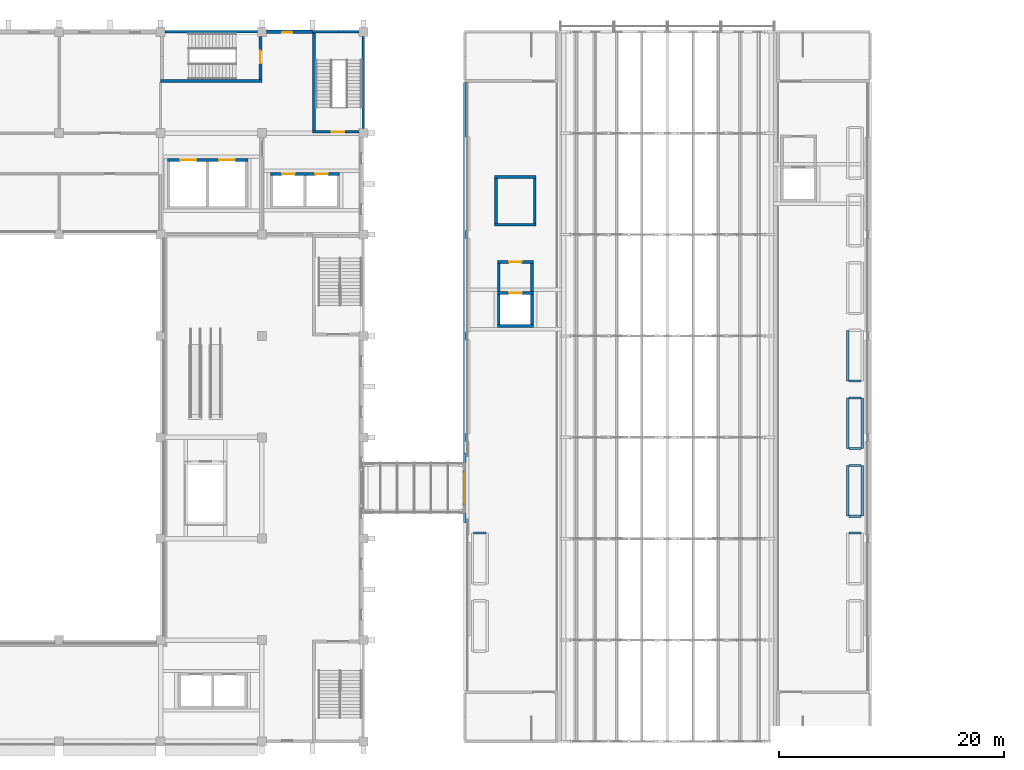
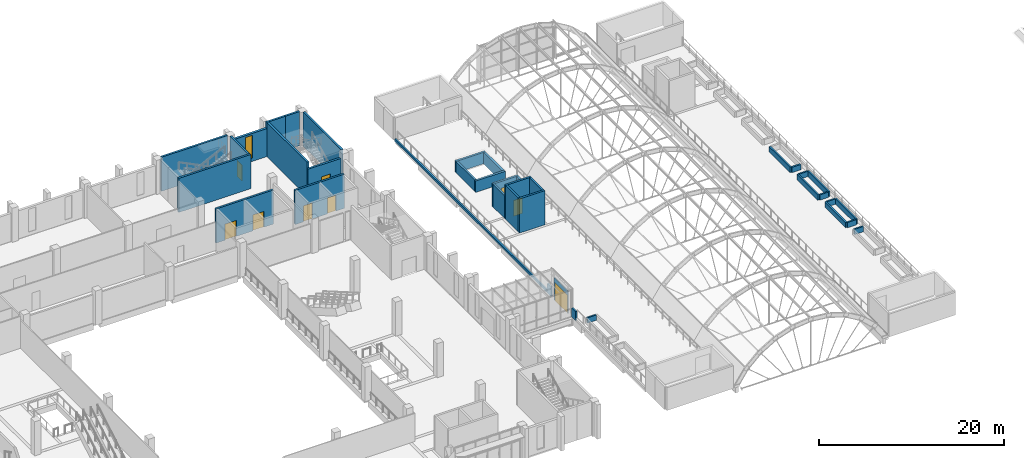
# One storey, part 56 of 79: 38 walls, 9 doors, 1 window, 10 openings.
"""IFC4 building model written with IfcOpenShell, lengths in metres."""

from ifc_helpers import new_model, si_unit, direction, frame, frame_2d, origin, place, context, subcontext, project, spatial, rectangle, extrude, material, layer, layer_set, type_object, element, fill, save


model = new_model("IFC4")

# Units and contexts
model_context = context("Model", 3, precision=1e-05, world=origin(), true_north=direction((0.0, 1.0)))
body_context = subcontext(model_context, "Body", "Model", "MODEL_VIEW")
ifc_project = project(units=[si_unit("LENGTHUNIT", "METRE"), si_unit("AREAUNIT", "SQUARE_METRE"), si_unit("VOLUMEUNIT", "CUBIC_METRE"), si_unit("PLANEANGLEUNIT", "RADIAN"), si_unit("MASSUNIT", "GRAM", prefix="KILO")], contexts=[model_context])

# Site, building, storey
site_placement = place(None, origin())
site = spatial("IfcSite", under=ifc_project, at=site_placement, CompositionType="ELEMENT")
building_placement = place(site_placement, origin())
building = spatial("IfcBuilding", under=site, at=building_placement, Name="Guidao Yard Department Store", CompositionType="ELEMENT")
storey_placement = place(building_placement, frame((0.0, 0.0, 15.0)))
storey = spatial("IfcBuildingStorey", under=building, at=storey_placement, Name="L03", CompositionType="ELEMENT", Elevation=15.0)

# Wall, opening, door
ifc_material_1 = material(Name="Aluminium 6063-T5", Category="aluminium")
ifc_layer_1 = layer(ifc_material_1, 0.1201171875)
ifc_layer_set_1 = layer_set([ifc_layer_1], Name="Glazing frame wall 120")
wall_type_1 = type_object("IfcWallType", Name="Glazing frame wall 120", PredefinedType="STANDARD", material=ifc_layer_set_1)
wall_1_placement = place(storey_placement, frame((71.919921875, 68.969970703125, 0.0), z_axis=(0.0, 0.0, 1.0), x_axis=(0.0, -1.0, 0.0)))
wall_1 = element("IfcWall", 1, at=wall_1_placement, inside=storey, type_object=wall_type_1, Name="Frame wall for bridge door", PredefinedType="STANDARD", context=body_context, shape_type="SweptSolid", body=[
    extrude(rectangle(XDim=2.93994140625, YDim=0.1201171875, at=frame_2d((1.469970703125, 0.0))), origin(), (0.0, 0.0, 1.0), 2.969970703125),
])
opening_1_placement = place(wall_1_placement, frame((0.070068359375, 0.0, 0.0)))
opening_1 = element("IfcOpeningElement", 2, at=opening_1_placement, cuts=wall_1, Name="Opening L03-851", PredefinedType="OPENING", context=body_context, shape_type="SweptSolid", body=[
    extrude(rectangle(XDim=2.800048828125, YDim=2.39990234375, at=frame_2d((1.39990234375, 1.199951171875))), frame((0.0, 0.070068359375, 0.0), z_axis=(0.0, -1.0, 0.0), x_axis=(1.0, 0.0, 0.0)), (0.0, 0.0, 1.0), 0.14013671875),
])
ifc_material_2 = material(Name="Fire-resistant glass in steel frame", Category="steel")
door_type_1 = type_object("IfcDoorType", Name="Bridge door BD1 2800 x 2400 fire-rated glazed double leaf", OperationType="DOUBLE_DOOR_SINGLE_SWING", PredefinedType="DOOR", material=ifc_material_2)
door_1_placement = place(opening_1_placement, origin())
door_1 = element("IfcDoor", 3, at=door_1_placement, inside=storey, type_object=door_type_1, Name="Bridge door BR05", OperationType="DOUBLE_DOOR_SINGLE_SWING", OverallHeight=2.39990234375, OverallWidth=2.800048828125, PredefinedType="DOOR", context=body_context, shape_type="SweptSolid", body=[
    extrude(rectangle(XDim=2.800048828125, YDim=2.39990234375, at=frame_2d((1.39990234375, 1.199951171875))), frame((0.0, 0.02490234375, 0.0), z_axis=(0.0, -1.0, 0.0), x_axis=(1.0, 0.0, 0.0)), (0.0, 0.0, 1.0), 0.050048828125),
])
fill(opening_1, door_1)

# Wall, opening, window
ifc_material_3 = material(Name="Concrete C35", Category="concrete")
ifc_layer_2 = layer(ifc_material_3, 0.300048828125)
ifc_layer_set_2 = layer_set([ifc_layer_2], Name="Hall facade wall 300 C35")
wall_type_2 = type_object("IfcWallType", Name="Hall facade wall 300 C35", PredefinedType="SOLIDWALL", material=ifc_layer_set_2)
wall_2_placement = place(storey_placement, frame((54.39990234375, 108.0, 0.0), z_axis=(0.0, 0.0, 1.0), x_axis=(1.0, 0.0, 0.0)))
wall_2 = element("IfcWall", 4, at=wall_2_placement, inside=storey, type_object=wall_type_2, Name="Hall facade wall", PredefinedType="SOLIDWALL", context=body_context, shape_type="SweptSolid", body=[
    extrude(rectangle(XDim=4.10009765625, YDim=0.300048828125, at=frame_2d((2.050048828125, 0.0))), origin(), (0.0, 0.0, 1.0), 3.699951171875),
])
opening_2_placement = place(wall_2_placement, frame((1.39990234375, 0.0, 0.449951171875)))
opening_2 = element("IfcOpeningElement", 5, at=opening_2_placement, cuts=wall_2, Name="Opening WN-L03-E18", PredefinedType="OPENING", context=body_context, shape_type="SweptSolid", body=[
    extrude(rectangle(XDim=0.89990234375, YDim=3.0, at=frame_2d((0.449951171875, 1.5))), frame((0.0, 0.159912109375, 0.0), z_axis=(0.0, -1.0, 0.0), x_axis=(1.0, 0.0, 0.0)), (0.0, 0.0, 1.0), 0.320068359375),
])
ifc_material_4 = material(Name="Laminated glass in aluminium frame", Category="aluminium")
window_type = type_object("IfcWindowType", Name="Slot window SL1 900 x 3000 fixed", PartitioningType="SINGLE_PANEL", PredefinedType="WINDOW", material=ifc_material_4)
window_placement = place(opening_2_placement, origin())
window = element("IfcWindow", 6, at=window_placement, inside=storey, type_object=window_type, Name="Slot window", OverallHeight=3.0, OverallWidth=0.89990234375, PartitioningType="SINGLE_PANEL", PredefinedType="WINDOW", context=body_context, shape_type="SweptSolid", body=[
    extrude(rectangle(XDim=0.89990234375, YDim=3.0, at=frame_2d((0.449951171875, 1.5))), frame((0.0, -0.030029296875, 0.0), z_axis=(0.0, -1.0, 0.0), x_axis=(1.0, 0.0, 0.0)), (0.0, 0.0, 1.0), 0.06005859375),
])
fill(opening_2, window)

# Walls
ifc_material_5 = material(Name="Concrete C30", Category="concrete")
ifc_layer_3 = layer(ifc_material_5, 0.199951171875)
ifc_layer_set_3 = layer_set([ifc_layer_3], Name="Parapet wall 200 C30")
wall_type_3 = type_object("IfcWallType", Name="Parapet wall 200 C30", PredefinedType="PARAPET", material=ifc_layer_set_3)
for number, where, z_axis, x_axis, name in (
    (7, (72.0, 64.449951171875, 0.0), (0.0, 0.0, 1.0), (0.0, 1.0, 0.0), "Parapet"),
    (8, (72.0, 69.75, 0.0), (0.0, 0.0, 1.0), (0.0, 1.0, 0.0), "Parapet"),
):
    element("IfcWall", number, at=place(storey_placement, frame(where, z_axis=z_axis, x_axis=x_axis)), inside=storey, type_object=wall_type_3, Name=name, PredefinedType="PARAPET", context=body_context, shape_type="SweptSolid", body=[
        extrude(rectangle(XDim=0.800048828125, YDim=0.199951171875, at=frame_2d((0.39990234375, 0.0))), origin(), (0.0, 0.0, 1.0), 1.199951171875),
    ])
ifc_material_6 = material(Name="Concrete C30", Category="concrete")
ifc_layer_4 = layer(ifc_material_6, 0.199951171875)
ifc_layer_set_4 = layer_set([ifc_layer_4], Name="Planter wall 200 C30")
wall_type_4 = type_object("IfcWallType", Name="Planter wall 200 C30", PredefinedType="USERDEFINED", material=ifc_layer_set_4)
for number, where, z_axis, x_axis, name in (
    (9, (72.800048828125, 63.5, 0.0), (0.0, 0.0, 1.0), (1.0, 0.0, 0.0), "Planter wall"),
    (10, (106.10009765625, 63.5, 0.0), (0.0, 0.0, 1.0), (1.0, 0.0, 0.0), "Planter wall"),
):
    element("IfcWall", number, at=place(storey_placement, frame(where, z_axis=z_axis, x_axis=x_axis)), inside=storey, type_object=wall_type_4, Name=name, ObjectType="PLANTER", PredefinedType="USERDEFINED", context=body_context, shape_type="SweptSolid", body=[
        extrude(rectangle(XDim=1.099853515625, YDim=0.199951171875, at=frame_2d((0.5498046875, 0.0))), origin(), (0.0, 0.0, 1.0), 0.699951171875),
    ])
for number, where, z_axis, x_axis, name in (
    (11, (106.0, 65.0, 0.0), (0.0, 0.0, 1.0), (0.0, 1.0, 0.0), "Planter wall"),
    (12, (107.300048828125, 65.0, 0.0), (0.0, 0.0, 1.0), (0.0, 1.0, 0.0), "Planter wall"),
):
    element("IfcWall", number, at=place(storey_placement, frame(where, z_axis=z_axis, x_axis=x_axis)), inside=storey, type_object=wall_type_4, Name=name, ObjectType="PLANTER", PredefinedType="USERDEFINED", context=body_context, shape_type="SweptSolid", body=[
        extrude(rectangle(XDim=4.5, YDim=0.199951171875, at=frame_2d((2.25, 0.0))), origin(), (0.0, 0.0, 1.0), 0.699951171875),
    ])
for number, where, z_axis, x_axis, name in (
    (13, (106.10009765625, 65.0, 0.0), (0.0, 0.0, 1.0), (1.0, 0.0, 0.0), "Planter wall"),
    (14, (106.10009765625, 69.5, 0.0), (0.0, 0.0, 1.0), (1.0, 0.0, 0.0), "Planter wall"),
):
    element("IfcWall", number, at=place(storey_placement, frame(where, z_axis=z_axis, x_axis=x_axis)), inside=storey, type_object=wall_type_4, Name=name, ObjectType="PLANTER", PredefinedType="USERDEFINED", context=body_context, shape_type="SweptSolid", body=[
        extrude(rectangle(XDim=1.099853515625, YDim=0.199951171875, at=frame_2d((0.5498046875, 0.0))), origin(), (0.0, 0.0, 1.0), 0.699951171875),
    ])
for number, where, z_axis, x_axis, name in (
    (15, (106.0, 71.0, 0.0), (0.0, 0.0, 1.0), (0.0, 1.0, 0.0), "Planter wall"),
    (16, (107.300048828125, 71.0, 0.0), (0.0, 0.0, 1.0), (0.0, 1.0, 0.0), "Planter wall"),
):
    element("IfcWall", number, at=place(storey_placement, frame(where, z_axis=z_axis, x_axis=x_axis)), inside=storey, type_object=wall_type_4, Name=name, ObjectType="PLANTER", PredefinedType="USERDEFINED", context=body_context, shape_type="SweptSolid", body=[
        extrude(rectangle(XDim=4.5, YDim=0.199951171875, at=frame_2d((2.25, 0.0))), origin(), (0.0, 0.0, 1.0), 0.699951171875),
    ])
for number, where, z_axis, x_axis, name in (
    (17, (106.10009765625, 71.0, 0.0), (0.0, 0.0, 1.0), (1.0, 0.0, 0.0), "Planter wall"),
    (18, (106.10009765625, 75.5, 0.0), (0.0, 0.0, 1.0), (1.0, 0.0, 0.0), "Planter wall"),
):
    element("IfcWall", number, at=place(storey_placement, frame(where, z_axis=z_axis, x_axis=x_axis)), inside=storey, type_object=wall_type_4, Name=name, ObjectType="PLANTER", PredefinedType="USERDEFINED", context=body_context, shape_type="SweptSolid", body=[
        extrude(rectangle(XDim=1.099853515625, YDim=0.199951171875, at=frame_2d((0.5498046875, 0.0))), origin(), (0.0, 0.0, 1.0), 0.699951171875),
    ])
wall_3_placement = place(storey_placement, frame((106.0, 77.0, 0.0), z_axis=(0.0, 0.0, 1.0), x_axis=(0.0, 1.0, 0.0)))
element("IfcWall", 19, at=wall_3_placement, inside=storey, type_object=wall_type_4, Name="Planter wall", ObjectType="PLANTER", PredefinedType="USERDEFINED", context=body_context, shape_type="SweptSolid", body=[
    extrude(rectangle(XDim=4.5, YDim=0.199951171875, at=frame_2d((2.25, 0.0))), origin(), (0.0, 0.0, 1.0), 0.699951171875),
])
wall_4_placement = place(storey_placement, frame((106.10009765625, 77.0, 0.0), z_axis=(0.0, 0.0, 1.0), x_axis=(1.0, 0.0, 0.0)))
element("IfcWall", 20, at=wall_4_placement, inside=storey, type_object=wall_type_4, Name="Planter wall", ObjectType="PLANTER", PredefinedType="USERDEFINED", context=body_context, shape_type="SweptSolid", body=[
    extrude(rectangle(XDim=1.099853515625, YDim=0.199951171875, at=frame_2d((0.5498046875, 0.0))), origin(), (0.0, 0.0, 1.0), 0.699951171875),
])
ifc_material_7 = material(Name="Concrete C30", Category="concrete")
ifc_layer_5 = layer(ifc_material_7, 0.199951171875)
ifc_layer_set_5 = layer_set([ifc_layer_5], Name="Roof edge kerb 200 C30")
wall_type_5 = type_object("IfcWallType", Name="Roof edge kerb 200 C30", PredefinedType="PARAPET", material=ifc_layer_set_5)
wall_5_placement = place(storey_placement, frame((72.0, 70.550048828125, 0.0), z_axis=(0.0, 0.0, 1.0), x_axis=(0.0, 1.0, 0.0)))
element("IfcWall", 21, at=wall_5_placement, inside=storey, type_object=wall_type_5, Name="Roof edge kerb", PredefinedType="PARAPET", context=body_context, shape_type="SweptSolid", body=[
    extrude(rectangle(XDim=32.949951171875, YDim=0.199951171875, at=frame_2d((16.47509765625, 0.0))), origin(), (0.0, 0.0, 1.0), 0.300048828125),
])

# Wall, opening, door
ifc_material_8 = material(Name="Concrete C40", Category="concrete")
ifc_layer_6 = layer(ifc_material_8, 0.25)
ifc_layer_set_6 = layer_set([ifc_layer_6], Name="Wall RC 250 C40 stair and shaft")
wall_type_6 = type_object("IfcWallType", Name="Wall RC 250 C40 stair and shaft", PredefinedType="SHEAR", material=ifc_layer_set_6)
wall_6_placement = place(storey_placement, frame((58.5, 99.125, 0.0), z_axis=(0.0, 0.0, 1.0), x_axis=(1.0, 0.0, 0.0)))
wall_6 = element("IfcWall", 22, at=wall_6_placement, inside=storey, type_object=wall_type_6, Name="Stair wall SA6", PredefinedType="SHEAR", context=body_context, shape_type="SweptSolid", body=[
    extrude(rectangle(XDim=4.10009765625, YDim=0.25, at=frame_2d((2.050048828125, 0.0))), origin(), (0.0, 0.0, 1.0), 3.699951171875),
])
opening_3_placement = place(wall_6_placement, frame((1.699951171875, 0.0, 0.0)))
opening_3 = element("IfcOpeningElement", 23, at=opening_3_placement, cuts=wall_6, Name="Opening L03-805", PredefinedType="OPENING", context=body_context, shape_type="SweptSolid", body=[
    extrude(rectangle(XDim=1.10009765625, YDim=2.10009765625, at=frame_2d((0.550048828125, 1.050048828125))), frame((0.0, 0.135009765625, 0.0), z_axis=(0.0, -1.0, 0.0), x_axis=(1.0, 0.0, 0.0)), (0.0, 0.0, 1.0), 0.27001953125),
])
ifc_material_9 = material(Name="Steel Q235", Category="steel")
door_type_2 = type_object("IfcDoorType", Name="Door fire-resisting 1100 x 2100 FD60", OperationType="SINGLE_SWING_LEFT", PredefinedType="DOOR", material=ifc_material_9)
door_2_placement = place(opening_3_placement, origin())
door_2 = element("IfcDoor", 24, at=door_2_placement, inside=storey, type_object=door_type_2, Name="Stair A6 door L03", OperationType="SINGLE_SWING_RIGHT", OverallHeight=2.10009765625, OverallWidth=1.10009765625, PredefinedType="DOOR", context=body_context, shape_type="SweptSolid", body=[
    extrude(rectangle(XDim=1.10009765625, YDim=2.10009765625, at=frame_2d((0.550048828125, 1.050048828125))), frame((0.0, 0.02490234375, 0.0), z_axis=(0.0, -1.0, 0.0), x_axis=(1.0, 0.0, 0.0)), (0.0, 0.0, 1.0), 0.050048828125),
])
fill(opening_3, door_2)

# Walls
wall_7_placement = place(storey_placement, frame((58.5, 108.0, 0.0), z_axis=(0.0, 0.0, 1.0), x_axis=(1.0, 0.0, 0.0)))
element("IfcWall", 25, at=wall_7_placement, inside=storey, type_object=wall_type_6, Name="Stair wall SA6", PredefinedType="SHEAR", context=body_context, shape_type="SweptSolid", body=[
    extrude(rectangle(XDim=2.31201171875, YDim=0.25, at=frame_2d((1.156005859375, 0.0))), origin(), (0.0, 0.0, 1.0), 4.5),
])
wall_8_placement = place(storey_placement, frame((60.81201171875, 108.0, 0.0), z_axis=(0.0, 0.0, 1.0), x_axis=(1.0, 0.0, 0.0)))
element("IfcWall", 26, at=wall_8_placement, inside=storey, type_object=wall_type_6, Name="Stair wall SA6", PredefinedType="SHEAR", context=body_context, shape_type="SweptSolid", body=[
    extrude(rectangle(XDim=1.7880859375, YDim=0.25, at=frame_2d((0.89404296875, 0.0))), origin(), (0.0, 0.0, 1.0), 4.5),
])
wall_9_placement = place(storey_placement, frame((58.625, 99.25, 0.0), z_axis=(0.0, 0.0, 1.0), x_axis=(0.0, 1.0, 0.0)))
element("IfcWall", 27, at=wall_9_placement, inside=storey, type_object=wall_type_6, Name="Stair wall SA6", PredefinedType="SHEAR", context=body_context, shape_type="SweptSolid", body=[
    extrude(rectangle(XDim=8.625, YDim=0.25, at=frame_2d((4.3125, 0.0))), origin(), (0.0, 0.0, 1.0), 4.5),
])
wall_10_placement = place(storey_placement, frame((63.0, 99.39990234375, 0.0), z_axis=(0.0, 0.0, 1.0), x_axis=(0.0, 1.0, 0.0)))
element("IfcWall", 28, at=wall_10_placement, inside=storey, type_object=wall_type_6, Name="Stair wall SA6", PredefinedType="SHEAR", context=body_context, shape_type="SweptSolid", body=[
    extrude(rectangle(XDim=8.2001953125, YDim=0.25, at=frame_2d((4.10009765625, 0.0))), origin(), (0.0, 0.0, 1.0), 4.5),
])
wall_11_placement = place(storey_placement, frame((45.0, 103.625, 0.0), z_axis=(0.0, 0.0, 1.0), x_axis=(1.0, 0.0, 0.0)))
element("IfcWall", 29, at=wall_11_placement, inside=storey, type_object=wall_type_6, Name="Stair wall SA7", PredefinedType="SHEAR", context=body_context, shape_type="SweptSolid", body=[
    extrude(rectangle(XDim=9.0, YDim=0.25, at=frame_2d((4.5, 0.0))), origin(), (0.0, 0.0, 1.0), 4.5),
])
wall_12_placement = place(storey_placement, frame((45.39990234375, 108.0, 0.0), z_axis=(0.0, 0.0, 1.0), x_axis=(1.0, 0.0, 0.0)))
element("IfcWall", 30, at=wall_12_placement, inside=storey, type_object=wall_type_6, Name="Stair wall SA7", PredefinedType="SHEAR", context=body_context, shape_type="SweptSolid", body=[
    extrude(rectangle(XDim=8.2001953125, YDim=0.25, at=frame_2d((4.10009765625, 0.0))), origin(), (0.0, 0.0, 1.0), 4.5),
])

# Wall, opening, door
wall_13_placement = place(storey_placement, frame((53.875, 103.75, 0.0), z_axis=(0.0, 0.0, 1.0), x_axis=(0.0, 1.0, 0.0)))
wall_13 = element("IfcWall", 31, at=wall_13_placement, inside=storey, type_object=wall_type_6, Name="Stair wall SA7", PredefinedType="SHEAR", context=body_context, shape_type="SweptSolid", body=[
    extrude(rectangle(XDim=3.85009765625, YDim=0.25, at=frame_2d((1.925048828125, 0.0))), origin(), (0.0, 0.0, 1.0), 4.5),
])
opening_4_placement = place(wall_13_placement, frame((1.449951171875, 0.0, 0.0)))
opening_4 = element("IfcOpeningElement", 32, at=opening_4_placement, cuts=wall_13, Name="Opening L03-806", PredefinedType="OPENING", context=body_context, shape_type="SweptSolid", body=[
    extrude(rectangle(XDim=1.10009765625, YDim=2.10009765625, at=frame_2d((0.550048828125, 1.050048828125))), frame((0.0, 0.135009765625, 0.0), z_axis=(0.0, -1.0, 0.0), x_axis=(1.0, 0.0, 0.0)), (0.0, 0.0, 1.0), 0.27001953125),
])
door_3_placement = place(opening_4_placement, origin())
door_3 = element("IfcDoor", 33, at=door_3_placement, inside=storey, type_object=door_type_2, Name="Stair A7 door L03", OperationType="SINGLE_SWING_RIGHT", OverallHeight=2.10009765625, OverallWidth=1.10009765625, PredefinedType="DOOR", context=body_context, shape_type="SweptSolid", body=[
    extrude(rectangle(XDim=1.10009765625, YDim=2.10009765625, at=frame_2d((0.550048828125, 1.050048828125))), frame((0.0, 0.02490234375, 0.0), z_axis=(0.0, -1.0, 0.0), x_axis=(1.0, 0.0, 0.0)), (0.0, 0.0, 1.0), 0.050048828125),
])
fill(opening_4, door_3)

# Wall, openings, doors
wall_14_placement = place(storey_placement, frame((45.60009765625, 96.625, 0.0), z_axis=(0.0, 0.0, 1.0), x_axis=(1.0, 0.0, 0.0)))
wall_14 = element("IfcWall", 34, at=wall_14_placement, inside=storey, type_object=wall_type_6, Name="Lift shaft wall HG1 to HG2", PredefinedType="SHEAR", context=body_context, shape_type="SweptSolid", body=[
    extrude(rectangle(XDim=7.14990234375, YDim=0.25, at=frame_2d((3.574951171875, 0.0))), origin(), (0.0, 0.0, 1.0), 4.5),
])
opening_5_placement = place(wall_14_placement, frame((1.14990234375, 0.0, 0.0)))
opening_5 = element("IfcOpeningElement", 35, at=opening_5_placement, cuts=wall_14, Name="Opening LD-HG1-L03", PredefinedType="OPENING", context=body_context, shape_type="SweptSolid", body=[
    extrude(rectangle(XDim=1.39990234375, YDim=2.10009765625, at=frame_2d((0.699951171875, 1.050048828125))), frame((0.0, 0.135009765625, 0.0), z_axis=(0.0, -1.0, 0.0), x_axis=(1.0, 0.0, 0.0)), (0.0, 0.0, 1.0), 0.27001953125),
])
opening_6_placement = place(wall_14_placement, frame((4.60009765625, 0.0, 0.0)))
opening_6 = element("IfcOpeningElement", 36, at=opening_6_placement, cuts=wall_14, Name="Opening LD-HG2-L03", PredefinedType="OPENING", context=body_context, shape_type="SweptSolid", body=[
    extrude(rectangle(XDim=1.39990234375, YDim=2.10009765625, at=frame_2d((0.699951171875, 1.050048828125))), frame((0.0, 0.135009765625, 0.0), z_axis=(0.0, -1.0, 0.0), x_axis=(1.0, 0.0, 0.0)), (0.0, 0.0, 1.0), 0.27001953125),
])
ifc_material_10 = material(Name="Stainless steel 06Cr19Ni10", Category="steel")
door_type_3 = type_object("IfcDoorType", Name="Lift landing door fire-resisting sliding 1400 x 2100", OperationType="DOUBLE_DOOR_SLIDING", PredefinedType="DOOR", material=ifc_material_10)
door_4_placement = place(opening_5_placement, origin())
door_4 = element("IfcDoor", 37, at=door_4_placement, inside=storey, type_object=door_type_3, Name="Lift landing door HG1 L03", OperationType="DOUBLE_DOOR_SLIDING", OverallHeight=2.10009765625, OverallWidth=1.39990234375, PredefinedType="DOOR", context=body_context, shape_type="SweptSolid", body=[
    extrude(rectangle(XDim=1.39990234375, YDim=2.10009765625, at=frame_2d((0.699951171875, 1.050048828125))), frame((0.0, 0.02490234375, 0.0), z_axis=(0.0, -1.0, 0.0), x_axis=(1.0, 0.0, 0.0)), (0.0, 0.0, 1.0), 0.050048828125),
])
fill(opening_5, door_4)
door_5_placement = place(opening_6_placement, origin())
door_5 = element("IfcDoor", 38, at=door_5_placement, inside=storey, type_object=door_type_3, Name="Lift landing door HG2 L03", OperationType="DOUBLE_DOOR_SLIDING", OverallHeight=2.10009765625, OverallWidth=1.39990234375, PredefinedType="DOOR", context=body_context, shape_type="SweptSolid", body=[
    extrude(rectangle(XDim=1.39990234375, YDim=2.10009765625, at=frame_2d((0.699951171875, 1.050048828125))), frame((0.0, 0.02490234375, 0.0), z_axis=(0.0, -1.0, 0.0), x_axis=(1.0, 0.0, 0.0)), (0.0, 0.0, 1.0), 0.050048828125),
])
fill(opening_6, door_5)

wall_15_placement = place(storey_placement, frame((54.75, 95.375, 0.0), z_axis=(0.0, 0.0, 1.0), x_axis=(1.0, 0.0, 0.0)))
wall_15 = element("IfcWall", 39, at=wall_15_placement, inside=storey, type_object=wall_type_6, Name="Lift shaft wall HF1 to HF2", PredefinedType="SHEAR", context=body_context, shape_type="SweptSolid", body=[
    extrude(rectangle(XDim=6.14990234375, YDim=0.25, at=frame_2d((3.074951171875, 0.0))), origin(), (0.0, 0.0, 1.0), 4.5),
])
opening_7_placement = place(wall_15_placement, frame((1.050048828125, 0.0, 0.0)))
opening_7 = element("IfcOpeningElement", 40, at=opening_7_placement, cuts=wall_15, Name="Opening LD-HF1-L03", PredefinedType="OPENING", context=body_context, shape_type="SweptSolid", body=[
    extrude(rectangle(XDim=1.10009765625, YDim=2.10009765625, at=frame_2d((0.550048828125, 1.050048828125))), frame((0.0, 0.135009765625, 0.0), z_axis=(0.0, -1.0, 0.0), x_axis=(1.0, 0.0, 0.0)), (0.0, 0.0, 1.0), 0.27001953125),
])
opening_8_placement = place(wall_15_placement, frame((4.0, 0.0, 0.0)))
opening_8 = element("IfcOpeningElement", 41, at=opening_8_placement, cuts=wall_15, Name="Opening LD-HF2-L03", PredefinedType="OPENING", context=body_context, shape_type="SweptSolid", body=[
    extrude(rectangle(XDim=1.10009765625, YDim=2.10009765625, at=frame_2d((0.550048828125, 1.050048828125))), frame((0.0, 0.135009765625, 0.0), z_axis=(0.0, -1.0, 0.0), x_axis=(1.0, 0.0, 0.0)), (0.0, 0.0, 1.0), 0.27001953125),
])
ifc_material_11 = material(Name="Stainless steel 06Cr19Ni10", Category="steel")
door_type_4 = type_object("IfcDoorType", Name="Lift landing door fire-resisting sliding 1100 x 2100", OperationType="DOUBLE_DOOR_SLIDING", PredefinedType="DOOR", material=ifc_material_11)
door_6_placement = place(opening_7_placement, origin())
door_6 = element("IfcDoor", 42, at=door_6_placement, inside=storey, type_object=door_type_4, Name="Lift landing door HF1 L03", OperationType="DOUBLE_DOOR_SLIDING", OverallHeight=2.10009765625, OverallWidth=1.10009765625, PredefinedType="DOOR", context=body_context, shape_type="SweptSolid", body=[
    extrude(rectangle(XDim=1.10009765625, YDim=2.10009765625, at=frame_2d((0.550048828125, 1.050048828125))), frame((0.0, 0.02490234375, 0.0), z_axis=(0.0, -1.0, 0.0), x_axis=(1.0, 0.0, 0.0)), (0.0, 0.0, 1.0), 0.050048828125),
])
fill(opening_7, door_6)
door_7_placement = place(opening_8_placement, origin())
door_7 = element("IfcDoor", 43, at=door_7_placement, inside=storey, type_object=door_type_4, Name="Lift landing door HF2 L03", OperationType="DOUBLE_DOOR_SLIDING", OverallHeight=2.10009765625, OverallWidth=1.10009765625, PredefinedType="DOOR", context=body_context, shape_type="SweptSolid", body=[
    extrude(rectangle(XDim=1.10009765625, YDim=2.10009765625, at=frame_2d((0.550048828125, 1.050048828125))), frame((0.0, 0.02490234375, 0.0), z_axis=(0.0, -1.0, 0.0), x_axis=(1.0, 0.0, 0.0)), (0.0, 0.0, 1.0), 0.050048828125),
])
fill(opening_8, door_7)

# Wall, opening, door
wall_16_placement = place(storey_placement, frame((74.89990234375, 84.824951171875, 0.0), z_axis=(0.0, 0.0, 1.0), x_axis=(1.0, 0.0, 0.0)))
wall_16 = element("IfcWall", 44, at=wall_16_placement, inside=storey, type_object=wall_type_6, Name="Lift shaft wall GL1", PredefinedType="SHEAR", context=body_context, shape_type="SweptSolid", body=[
    extrude(rectangle(XDim=3.2001953125, YDim=0.25, at=frame_2d((1.60009765625, 0.0))), origin(), (0.0, 0.0, 1.0), 4.5),
])
opening_9_placement = place(wall_16_placement, frame((1.050048828125, 0.0, 0.0)))
opening_9 = element("IfcOpeningElement", 45, at=opening_9_placement, cuts=wall_16, Name="Opening LD-GL1-L03", PredefinedType="OPENING", context=body_context, shape_type="SweptSolid", body=[
    extrude(rectangle(XDim=1.10009765625, YDim=2.10009765625, at=frame_2d((0.550048828125, 1.050048828125))), frame((0.0, 0.135009765625, 0.0), z_axis=(0.0, -1.0, 0.0), x_axis=(1.0, 0.0, 0.0)), (0.0, 0.0, 1.0), 0.27001953125),
])
door_8_placement = place(opening_9_placement, origin())
door_8 = element("IfcDoor", 46, at=door_8_placement, inside=storey, type_object=door_type_4, Name="Lift landing door GL1 L03", OperationType="DOUBLE_DOOR_SLIDING", OverallHeight=2.10009765625, OverallWidth=1.10009765625, PredefinedType="DOOR", context=body_context, shape_type="SweptSolid", body=[
    extrude(rectangle(XDim=1.10009765625, YDim=2.10009765625, at=frame_2d((0.550048828125, 1.050048828125))), frame((0.0, 0.02490234375, 0.0), z_axis=(0.0, -1.0, 0.0), x_axis=(1.0, 0.0, 0.0)), (0.0, 0.0, 1.0), 0.050048828125),
])
fill(opening_9, door_8)

# Walls
wall_17_placement = place(storey_placement, frame((74.89990234375, 81.875, 0.0), z_axis=(0.0, 0.0, 1.0), x_axis=(1.0, 0.0, 0.0)))
element("IfcWall", 47, at=wall_17_placement, inside=storey, type_object=wall_type_6, Name="Lift shaft wall GL1", PredefinedType="SHEAR", context=body_context, shape_type="SweptSolid", body=[
    extrude(rectangle(XDim=3.2001953125, YDim=0.25, at=frame_2d((1.60009765625, 0.0))), origin(), (0.0, 0.0, 1.0), 4.5),
])
for number, where, z_axis, x_axis, name in (
    (48, (75.02490234375, 82.0, 0.0), (0.0, 0.0, 1.0), (0.0, 1.0, 0.0), "Lift shaft wall GL1"),
    (49, (77.97509765625, 82.0, 0.0), (0.0, 0.0, 1.0), (0.0, 1.0, 0.0), "Lift shaft wall GL1"),
):
    element("IfcWall", number, at=place(storey_placement, frame(where, z_axis=z_axis, x_axis=x_axis)), inside=storey, type_object=wall_type_6, Name=name, PredefinedType="SHEAR", context=body_context, shape_type="SweptSolid", body=[
        extrude(rectangle(XDim=2.699951171875, YDim=0.25, at=frame_2d((1.35009765625, 0.0))), origin(), (0.0, 0.0, 1.0), 4.5),
    ])
for number, where, z_axis, x_axis, name in (
    (50, (74.64990234375, 95.125, 0.0), (0.0, 0.0, 1.0), (1.0, 0.0, 0.0), "Lift shaft wall GG1"),
    (51, (74.64990234375, 90.875, 0.0), (0.0, 0.0, 1.0), (1.0, 0.0, 0.0), "Lift shaft wall GG1"),
):
    element("IfcWall", number, at=place(storey_placement, frame(where, z_axis=z_axis, x_axis=x_axis)), inside=storey, type_object=wall_type_6, Name=name, PredefinedType="SHEAR", context=body_context, shape_type="SweptSolid", body=[
        extrude(rectangle(XDim=3.7001953125, YDim=0.25, at=frame_2d((1.85009765625, 0.0))), origin(), (0.0, 0.0, 1.0), 1.5),
    ])
for number, where, z_axis, x_axis, name in (
    (52, (74.77490234375, 91.0, 0.0), (0.0, 0.0, 1.0), (0.0, 1.0, 0.0), "Lift shaft wall GG1"),
    (53, (78.22509765625, 91.0, 0.0), (0.0, 0.0, 1.0), (0.0, 1.0, 0.0), "Lift shaft wall GG1"),
):
    element("IfcWall", number, at=place(storey_placement, frame(where, z_axis=z_axis, x_axis=x_axis)), inside=storey, type_object=wall_type_6, Name=name, PredefinedType="SHEAR", context=body_context, shape_type="SweptSolid", body=[
        extrude(rectangle(XDim=4.0, YDim=0.25, at=frame_2d((2.0, 0.0))), origin(), (0.0, 0.0, 1.0), 1.5),
    ])

# Wall, opening, door
wall_18_placement = place(storey_placement, frame((74.89990234375, 87.574951171875, 0.0), z_axis=(0.0, 0.0, 1.0), x_axis=(1.0, 0.0, 0.0)))
wall_18 = element("IfcWall", 54, at=wall_18_placement, inside=storey, type_object=wall_type_6, Name="Roof lift lobby wall GL1", PredefinedType="SHEAR", context=body_context, shape_type="SweptSolid", body=[
    extrude(rectangle(XDim=3.2001953125, YDim=0.25, at=frame_2d((1.60009765625, 0.0))), origin(), (0.0, 0.0, 1.0), 3.0),
])
opening_10_placement = place(wall_18_placement, frame((1.050048828125, 0.0, 0.0)))
opening_10 = element("IfcOpeningElement", 55, at=opening_10_placement, cuts=wall_18, Name="Opening L03-815", PredefinedType="OPENING", context=body_context, shape_type="SweptSolid", body=[
    extrude(rectangle(XDim=1.10009765625, YDim=2.10009765625, at=frame_2d((0.550048828125, 1.050048828125))), frame((0.0, 0.135009765625, 0.0), z_axis=(0.0, -1.0, 0.0), x_axis=(1.0, 0.0, 0.0)), (0.0, 0.0, 1.0), 0.27001953125),
])
door_9_placement = place(opening_10_placement, origin())
door_9 = element("IfcDoor", 56, at=door_9_placement, inside=storey, type_object=door_type_2, Name="Roof lift lobby door GL1", OperationType="SINGLE_SWING_LEFT", OverallHeight=2.10009765625, OverallWidth=1.10009765625, PredefinedType="DOOR", context=body_context, shape_type="SweptSolid", body=[
    extrude(rectangle(XDim=1.10009765625, YDim=2.10009765625, at=frame_2d((0.550048828125, 1.050048828125))), frame((0.0, 0.02490234375, 0.0), z_axis=(0.0, -1.0, 0.0), x_axis=(1.0, 0.0, 0.0)), (0.0, 0.0, 1.0), 0.050048828125),
])
fill(opening_10, door_9)

# Walls
for number, where, z_axis, x_axis, name in (
    (57, (75.02490234375, 84.949951171875, 0.0), (0.0, 0.0, 1.0), (0.0, 1.0, 0.0), "Roof lift lobby wall GL1"),
    (58, (77.97509765625, 84.949951171875, 0.0), (0.0, 0.0, 1.0), (0.0, 1.0, 0.0), "Roof lift lobby wall GL1"),
):
    element("IfcWall", number, at=place(storey_placement, frame(where, z_axis=z_axis, x_axis=x_axis)), inside=storey, type_object=wall_type_6, Name=name, PredefinedType="SHEAR", context=body_context, shape_type="SweptSolid", body=[
        extrude(rectangle(XDim=2.5, YDim=0.25, at=frame_2d((1.25, 0.0))), origin(), (0.0, 0.0, 1.0), 3.0),
    ])

save(model, "model.ifc")
